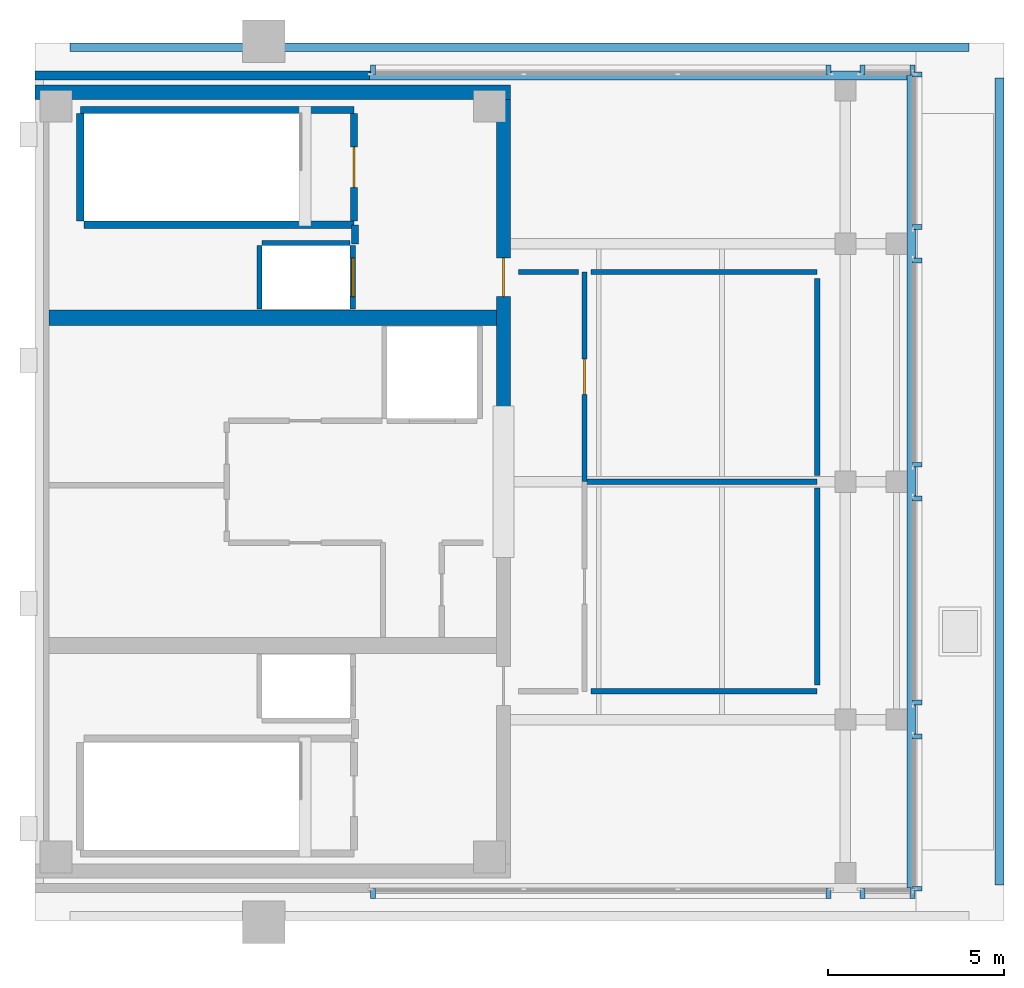
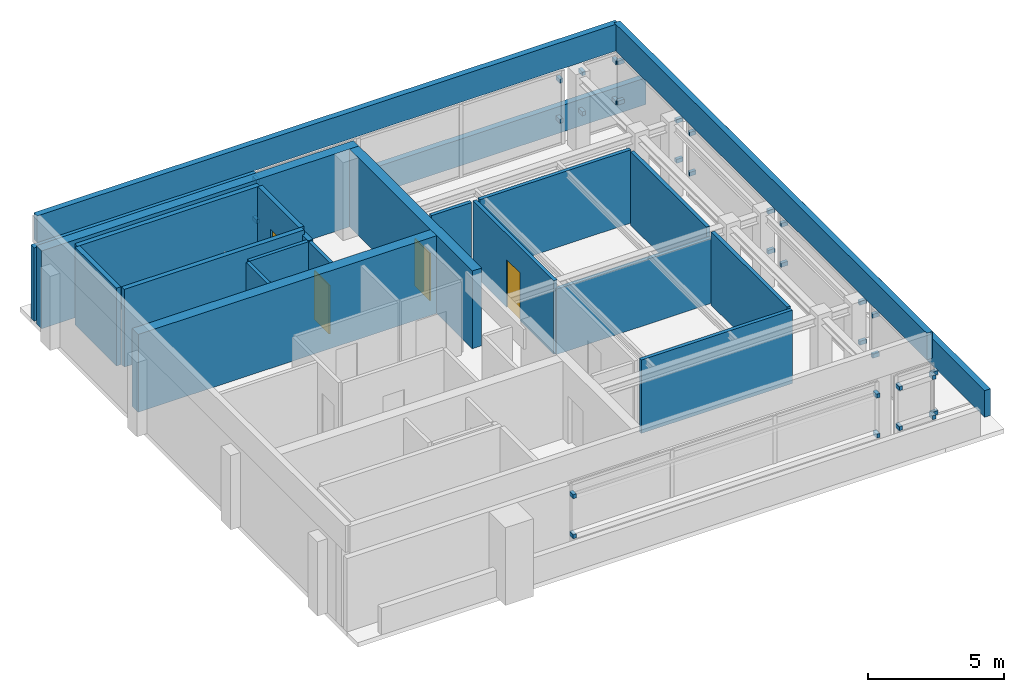
# One storey, part 4 of 5: 32 discrete accessories, 23 walls, 4 doors, 4 openings.
"""IFC4 building model written with IfcOpenShell, lengths in metres."""

from ifc_helpers import new_model, si_unit, direction, frame, frame_2d, origin, origin_2d, place, context, subcontext, project, spatial, rectangle, extrude, material, layer, layer_set, type_object, element, fill, save


model = new_model("IFC4")

# Units and contexts
model_context = context("Model", 3, precision=1e-05, world=origin(), true_north=direction((0.0, 1.0)))
body_context = subcontext(model_context, "Body", "Model", "MODEL_VIEW")
ifc_project = project(units=[si_unit("LENGTHUNIT", "METRE"), si_unit("AREAUNIT", "SQUARE_METRE"), si_unit("VOLUMEUNIT", "CUBIC_METRE"), si_unit("PLANEANGLEUNIT", "RADIAN"), si_unit("MASSUNIT", "GRAM", prefix="KILO")], contexts=[model_context])

# Site, building, storey
site_placement = place(None, origin())
site = spatial("IfcSite", under=ifc_project, at=site_placement, CompositionType="ELEMENT")
building_placement = place(site_placement, origin())
building = spatial("IfcBuilding", under=site, at=building_placement, Name="Kinhvarn Gate Tower", CompositionType="ELEMENT")
storey_placement = place(building_placement, frame((0.0, 0.0, 321.550048828125)))
storey = spatial("IfcBuildingStorey", under=building, at=storey_placement, Name="L85", CompositionType="ELEMENT", Elevation=321.550048828125)

# Wall
ifc_material_1 = material(Name="Concrete C50/60", Category="concrete")
ifc_layer_1 = layer(ifc_material_1, 0.39990234375)
ifc_layer_set_1 = layer_set([ifc_layer_1], Name="Concrete C50/60")
wall_type_1 = type_object("IfcWallType", Name="WL-CORE-400", PredefinedType="SHEAR", material=ifc_layer_set_1)
wall_1_placement = place(storey_placement, frame((4.5, 36.300048828125, 0.0), z_axis=(0.0, 0.0, 1.0), x_axis=(1.0, 0.0, 0.0)))
element("IfcWall", 1, at=wall_1_placement, inside=storey, type_object=wall_type_1, Name="Core North Shear Wall L85 400 mm", PredefinedType="SHEAR", context=body_context, shape_type="SweptSolid", body=[
    extrude(rectangle(XDim=13.5, YDim=0.39990234375, at=frame_2d((6.75, 0.0))), origin(), (0.0, 0.0, 1.0), 3.5),
])

# Wall, opening, door
wall_2_placement = place(storey_placement, frame((17.800048828125, 27.050048828125, 0.0), z_axis=(0.0, 0.0, 1.0), x_axis=(0.0, 1.0, 0.0)))
wall_2 = element("IfcWall", 2, at=wall_2_placement, inside=storey, type_object=wall_type_1, Name="Core East-North Shear Pier L85 400 mm", PredefinedType="SHEAR", context=body_context, shape_type="SweptSolid", body=[
    extrude(rectangle(XDim=9.050048828125, YDim=0.39990234375, at=frame_2d((4.52490234375, 0.0))), origin(), (0.0, 0.0, 1.0), 3.5),
])
opening_1_placement = place(wall_2_placement, frame((3.449951171875, 0.0, 0.0)))
opening_1 = element("IfcOpeningElement", 3, at=opening_1_placement, cuts=wall_2, Name="Opening FD-02", PredefinedType="OPENING", context=body_context, shape_type="SweptSolid", body=[
    extrude(rectangle(XDim=1.10009765625, YDim=2.14990234375, at=frame_2d((0.550048828125, 1.074951171875))), frame((0.0, 0.2099609375, 0.0), z_axis=(0.0, -1.0, 0.0), x_axis=(1.0, 0.0, 0.0)), (0.0, 0.0, 1.0), 0.419921875),
])
ifc_material_2 = material(Name="Anodised aluminium AW-6063", Category="aluminium")
door_type_1 = type_object("IfcDoorType", Name="DR-FD-1100", OperationType="NOTDEFINED", PredefinedType="DOOR", material=ifc_material_2)
door_1_placement = place(opening_1_placement, origin())
door_1 = element("IfcDoor", 4, at=door_1_placement, inside=storey, type_object=door_type_1, Name="Firefighting Lobby Core Door (L85)", OperationType="SINGLE_SWING_LEFT", OverallHeight=2.14990234375, OverallWidth=1.10009765625, PredefinedType="DOOR", context=body_context, shape_type="SweptSolid", body=[
    extrude(rectangle(XDim=1.10009765625, YDim=2.14990234375, at=frame_2d((0.550048828125, 1.074951171875))), frame((0.0, 0.02490234375, 0.0), z_axis=(0.0, -1.0, 0.0), x_axis=(1.0, 0.0, 0.0)), (0.0, 0.0, 1.0), 0.050048828125),
])
fill(opening_1, door_1)

# Walls
ifc_layer_2 = layer(ifc_material_1, 0.449951171875)
ifc_layer_set_2 = layer_set([ifc_layer_2], Name="Concrete C50/60")
wall_type_2 = type_object("IfcWallType", Name="WL-CORE-450", PredefinedType="SHEAR", material=ifc_layer_set_2)
wall_3_placement = place(storey_placement, frame((4.89990234375, 29.89990234375, 0.0), z_axis=(0.0, 0.0, 1.0), x_axis=(1.0, 0.0, 0.0)))
element("IfcWall", 5, at=wall_3_placement, inside=storey, type_object=wall_type_2, Name="Core North Spine Shear Wall L85 450 mm", PredefinedType="SHEAR", context=body_context, shape_type="SweptSolid", body=[
    extrude(rectangle(XDim=12.7001953125, YDim=0.449951171875, at=frame_2d((6.35009765625, 0.0))), origin(), (0.0, 0.0, 1.0), 3.5),
])
ifc_material_3 = material(Name="Fired architectural terracotta", Category="masonry")
ifc_layer_3 = layer(ifc_material_3, 0.25)
ifc_layer_set_3 = layer_set([ifc_layer_3], Name="Fired architectural terracotta")
wall_type_3 = type_object("IfcWallType", Name="WL-EXT-250", PredefinedType="SOLIDWALL", material=ifc_layer_set_3)
wall_4_placement = place(storey_placement, frame((14.0, 36.77490234375, 0.0), z_axis=(0.0, 0.0, 1.0), x_axis=(-1.0, 0.0, 0.0)))
element("IfcWall", 6, at=wall_4_placement, inside=storey, type_object=wall_type_3, Name="Exterior Solidwall Wall EW-250 (L85 Crown-Core-N)", PredefinedType="SOLIDWALL", context=body_context, shape_type="SweptSolid", body=[
    extrude(rectangle(XDim=9.5, YDim=0.25, at=frame_2d((4.75, 0.0))), origin(), (0.0, 0.0, 1.0), 3.300048828125),
])
ifc_layer_4 = layer(ifc_material_3, 0.25)
ifc_layer_set_4 = layer_set([ifc_layer_4], Name="Fired architectural terracotta")
wall_type_4 = type_object("IfcWallType", Name="WL-PAR-250", PredefinedType="PARAPET", material=ifc_layer_set_4)
wall_5_placement = place(storey_placement, frame((31.875, 13.800048828125, 0.0), z_axis=(0.0, 0.0, 1.0), x_axis=(0.0, 1.0, 0.0)))
element("IfcWall", 7, at=wall_5_placement, inside=storey, type_object=wall_type_4, Name="Exterior Parapet Wall PRW-250 (L85 Crown-Step-Parapet-E)", PredefinedType="PARAPET", context=body_context, shape_type="SweptSolid", body=[
    extrude(rectangle(XDim=22.89990234375, YDim=0.25, at=frame_2d((11.449951171875, 0.0))), origin(), (0.0, 0.0, 1.0), 1.199951171875),
])
wall_6_placement = place(storey_placement, frame((31.0, 37.574951171875, 0.0), z_axis=(0.0, 0.0, 1.0), x_axis=(-1.0, 0.0, 0.0)))
element("IfcWall", 8, at=wall_6_placement, inside=storey, type_object=wall_type_4, Name="Exterior Parapet Wall PRW-250 (L85 Crown-Step-Parapet-N)", PredefinedType="PARAPET", context=body_context, shape_type="SweptSolid", body=[
    extrude(rectangle(XDim=25.5, YDim=0.25, at=frame_2d((12.75, 0.0))), origin(), (0.0, 0.0, 1.0), 1.199951171875),
])
wall_7_placement = place(storey_placement, frame((29.375, 13.72509765625, 3.5), z_axis=(0.0, 0.0, 1.0), x_axis=(0.0, 1.0, 0.0)))
element("IfcWall", 9, at=wall_7_placement, inside=storey, type_object=wall_type_4, Name="Exterior Parapet Wall PRW-250 (L85 RF-Parapet-E)", PredefinedType="PARAPET", context=body_context, shape_type="SweptSolid", body=[
    extrude(rectangle(XDim=23.0498046875, YDim=0.25, at=frame_2d((11.52490234375, 0.0))), origin(), (0.0, 0.0, 1.0), 1.199951171875),
])
wall_8_placement = place(storey_placement, frame((29.375, 36.77490234375, 3.5), z_axis=(0.0, 0.0, 1.0), x_axis=(-1.0, 0.0, 0.0)))
element("IfcWall", 10, at=wall_8_placement, inside=storey, type_object=wall_type_4, Name="Exterior Parapet Wall PRW-250 (L85 RF-Parapet-N)", PredefinedType="PARAPET", context=body_context, shape_type="SweptSolid", body=[
    extrude(rectangle(XDim=24.75, YDim=0.25, at=frame_2d((12.375, 0.0))), origin(), (0.0, 0.0, 1.0), 1.199951171875),
])

# Wall, opening, door
ifc_material_4 = material(Name="Gypsum acoustic partition board")
ifc_layer_5 = layer(ifc_material_4, 0.14990234375)
ifc_layer_set_5 = layer_set([ifc_layer_5], Name="Gypsum acoustic partition board")
wall_type_5 = type_object("IfcWallType", Name="WL-PRT-150F", PredefinedType="PARTITIONING", material=ifc_layer_set_5)
wall_9_placement = place(storey_placement, frame((20.10009765625, 25.25, 0.0), z_axis=(0.0, 0.0, 1.0), x_axis=(0.0, 1.0, 0.0)))
wall_9 = element("IfcWall", 11, at=wall_9_placement, inside=storey, type_object=wall_type_5, Name="Interior Partition PW-150F (L85)", PredefinedType="PARTITIONING", context=body_context, shape_type="SweptSolid", body=[
    extrude(rectangle(XDim=5.949951171875, YDim=0.14990234375, at=frame_2d((2.97509765625, 0.0))), origin(), (0.0, 0.0, 1.0), 3.300048828125),
])
opening_2_placement = place(wall_9_placement, frame((2.47509765625, 0.0, 0.0)))
opening_2 = element("IfcOpeningElement", 12, at=opening_2_placement, cuts=wall_9, Name="Opening FD-03", PredefinedType="OPENING", context=body_context, shape_type="SweptSolid", body=[
    extrude(rectangle(XDim=1.0, YDim=2.14990234375, at=frame_2d((0.5, 1.074951171875))), frame((0.0, 0.0849609375, 0.0), z_axis=(0.0, -1.0, 0.0), x_axis=(1.0, 0.0, 0.0)), (0.0, 0.0, 1.0), 0.169921875),
])
door_type_2 = type_object("IfcDoorType", Name="DR-FD-1000", OperationType="NOTDEFINED", PredefinedType="DOOR", material=ifc_material_2)
door_2_placement = place(opening_2_placement, origin())
door_2 = element("IfcDoor", 13, at=door_2_placement, inside=storey, type_object=door_type_2, Name="Rated Plant & Corridor Fire Door 1000x2150 mm (L85)", OperationType="SINGLE_SWING_LEFT", OverallHeight=2.14990234375, OverallWidth=1.0, PredefinedType="DOOR", context=body_context, shape_type="SweptSolid", body=[
    extrude(rectangle(XDim=1.0, YDim=2.14990234375, at=frame_2d((0.5, 1.074951171875))), frame((0.0, 0.02490234375, 0.0), z_axis=(0.0, -1.0, 0.0), x_axis=(1.0, 0.0, 0.0)), (0.0, 0.0, 1.0), 0.050048828125),
])
fill(opening_2, door_2)

# Walls
wall_10_placement = place(storey_placement, frame((20.10009765625, 25.25, 0.0), z_axis=(0.0, 0.0, 1.0), x_axis=(1.0, 0.0, 0.0)))
element("IfcWall", 14, at=wall_10_placement, inside=storey, type_object=wall_type_5, Name="Interior Partition PW-150F (L85)", PredefinedType="PARTITIONING", context=body_context, shape_type="SweptSolid", body=[
    extrude(rectangle(XDim=6.599853515625, YDim=0.14990234375, at=frame_2d((3.2998046875, 0.0))), origin(), (0.0, 0.0, 1.0), 2.93994140625),
])
wall_11_placement = place(storey_placement, frame((26.699951171875, 19.300048828125, 0.0), z_axis=(0.0, 0.0, 1.0), x_axis=(-1.0, 0.0, 0.0)))
element("IfcWall", 15, at=wall_11_placement, inside=storey, type_object=wall_type_5, Name="Interior Partition PW-150F (L85)", PredefinedType="PARTITIONING", context=body_context, shape_type="SweptSolid", body=[
    extrude(rectangle(XDim=6.419921875, YDim=0.14990234375, at=frame_2d((3.2099609375, 0.0))), origin(), (0.0, 0.0, 1.0), 3.300048828125),
])
wall_12_placement = place(storey_placement, frame((18.219970703125, 31.199951171875, 0.0), z_axis=(0.0, 0.0, 1.0), x_axis=(1.0, 0.0, 0.0)))
element("IfcWall", 16, at=wall_12_placement, inside=storey, type_object=wall_type_5, Name="Interior Partition PW-150F (L85)", PredefinedType="PARTITIONING", context=body_context, shape_type="SweptSolid", body=[
    extrude(rectangle(XDim=1.699951171875, YDim=0.14990234375, at=frame_2d((0.85009765625, 0.0))), origin(), (0.0, 0.0, 1.0), 3.300048828125),
])
wall_13_placement = place(storey_placement, frame((20.280029296875, 31.199951171875, 0.0), z_axis=(0.0, 0.0, 1.0), x_axis=(1.0, 0.0, 0.0)))
element("IfcWall", 17, at=wall_13_placement, inside=storey, type_object=wall_type_5, Name="Interior Partition PW-150F (L85)", PredefinedType="PARTITIONING", context=body_context, shape_type="SweptSolid", body=[
    extrude(rectangle(XDim=6.419921875, YDim=0.14990234375, at=frame_2d((3.2099609375, 0.0))), origin(), (0.0, 0.0, 1.0), 3.300048828125),
])
for number, where, z_axis, x_axis, name in (
    (18, (26.699951171875, 31.02001953125, 0.0), (0.0, 0.0, 1.0), (0.0, -1.0, 0.0), "Interior Partition PW-150F (L85)"),
    (19, (26.699951171875, 25.070068359375, 0.0), (0.0, 0.0, 1.0), (0.0, -1.0, 0.0), "Interior Partition PW-150F (L85)"),
):
    element("IfcWall", number, at=place(storey_placement, frame(where, z_axis=z_axis, x_axis=x_axis)), inside=storey, type_object=wall_type_5, Name=name, PredefinedType="PARTITIONING", context=body_context, shape_type="SweptSolid", body=[
        extrude(rectangle(XDim=5.590087890625, YDim=0.14990234375, at=frame_2d((2.794921875, 0.0))), origin(), (0.0, 0.0, 1.0), 3.300048828125),
    ])
ifc_layer_6 = layer(ifc_material_4, 0.199951171875)
ifc_layer_set_6 = layer_set([ifc_layer_6], Name="Gypsum acoustic partition board")
wall_type_6 = type_object("IfcWallType", Name="WL-PRT-200", PredefinedType="PARTITIONING", material=ifc_layer_set_6)
wall_14_placement = place(storey_placement, frame((13.580078125, 32.0, 0.0), z_axis=(0.0, 0.0, 1.0), x_axis=(0.0, 1.0, 0.0)))
element("IfcWall", 20, at=wall_14_placement, inside=storey, type_object=wall_type_6, Name="Interior Partition PW-200 (L85)", PredefinedType="PARTITIONING", context=body_context, shape_type="SweptSolid", body=[
    extrude(rectangle(XDim=0.5400390625, YDim=0.199951171875, at=frame_2d((0.27001953125, 0.0))), origin(), (0.0, 0.0, 1.0), 3.300048828125),
])
ifc_layer_7 = layer(ifc_material_4, 0.14990234375)
ifc_layer_set_7 = layer_set([ifc_layer_7], Name="Gypsum acoustic partition board")
wall_type_7 = type_object("IfcWallType", Name="WL-SHF-150", PredefinedType="PARTITIONING", material=ifc_layer_set_7)
wall_15_placement = place(storey_placement, frame((10.949951171875, 32.02490234375, 0.0), z_axis=(0.0, 0.0, 1.0), x_axis=(1.0, 0.0, 0.0)))
element("IfcWall", 21, at=wall_15_placement, inside=storey, type_object=wall_type_7, Name="Elevator FF2 Hoistway Wall N (L85)", PredefinedType="PARTITIONING", context=body_context, shape_type="SweptSolid", body=[
    extrude(rectangle(XDim=2.5, YDim=0.14990234375, at=frame_2d((1.25, 0.0))), origin(), (0.0, 0.0, 1.0), 3.300048828125),
])
wall_16_placement = place(storey_placement, frame((10.875, 30.14990234375, 0.0), z_axis=(0.0, 0.0, 1.0), x_axis=(0.0, 1.0, 0.0)))
element("IfcWall", 22, at=wall_16_placement, inside=storey, type_object=wall_type_7, Name="Elevator FF2 Hoistway Wall W (L85)", PredefinedType="PARTITIONING", context=body_context, shape_type="SweptSolid", body=[
    extrude(rectangle(XDim=1.800048828125, YDim=0.14990234375, at=frame_2d((0.89990234375, 0.0))), origin(), (0.0, 0.0, 1.0), 3.300048828125),
])

# Wall, opening, door
wall_17_placement = place(storey_placement, frame((13.52490234375, 30.14990234375, 0.0), z_axis=(0.0, 0.0, 1.0), x_axis=(0.0, 1.0, 0.0)))
wall_17 = element("IfcWall", 23, at=wall_17_placement, inside=storey, type_object=wall_type_7, Name="Elevator FF2 Landing Wall (L85)", PredefinedType="PARTITIONING", context=body_context, shape_type="SweptSolid", body=[
    extrude(rectangle(XDim=1.800048828125, YDim=0.14990234375, at=frame_2d((0.89990234375, 0.0))), origin(), (0.0, 0.0, 1.0), 3.300048828125),
])
opening_3_placement = place(wall_17_placement, frame((0.35009765625, 0.0, 0.0)))
opening_3 = element("IfcOpeningElement", 24, at=opening_3_placement, cuts=wall_17, Name="Opening LD-03", PredefinedType="OPENING", context=body_context, shape_type="SweptSolid", body=[
    extrude(rectangle(XDim=1.10009765625, YDim=2.199951171875, at=frame_2d((0.550048828125, 1.10009765625))), frame((0.0, 0.0849609375, 0.0), z_axis=(0.0, -1.0, 0.0), x_axis=(1.0, 0.0, 0.0)), (0.0, 0.0, 1.0), 0.169921875),
])
door_type_3 = type_object("IfcDoorType", Name="DR-LND-FF", OperationType="NOTDEFINED", PredefinedType="DOOR", material=ifc_material_2)
door_3_placement = place(opening_3_placement, origin())
door_3 = element("IfcDoor", 25, at=door_3_placement, inside=storey, type_object=door_type_3, Name="Elevator FF2 Sliding Landing Door (L85)", OperationType="DOUBLE_DOOR_SLIDING", OverallHeight=2.199951171875, OverallWidth=1.10009765625, PredefinedType="DOOR", context=body_context, shape_type="SweptSolid", body=[
    extrude(rectangle(XDim=1.10009765625, YDim=2.199951171875, at=frame_2d((0.550048828125, 1.10009765625))), frame((0.0, 0.02490234375, 0.0), z_axis=(0.0, -1.0, 0.0), x_axis=(1.0, 0.0, 0.0)), (0.0, 0.0, 1.0), 0.050048828125),
])
fill(opening_3, door_3)

# Walls
ifc_material_5 = material(Name="Concrete C40/50", Category="concrete")
ifc_layer_8 = layer(ifc_material_5, 0.199951171875)
ifc_layer_set_8 = layer_set([ifc_layer_8], Name="Concrete C40/50")
wall_type_8 = type_object("IfcWallType", Name="WL-SHF-200", PredefinedType="SOLIDWALL", material=ifc_layer_set_8)
wall_18_placement = place(storey_placement, frame((5.800048828125, 35.800048828125, 0.0), z_axis=(0.0, 0.0, 1.0), x_axis=(1.0, 0.0, 0.0)))
element("IfcWall", 26, at=wall_18_placement, inside=storey, type_object=wall_type_8, Name="Stair ST2 North Shaft Wall (L85)", PredefinedType="SOLIDWALL", context=body_context, shape_type="SweptSolid", body=[
    extrude(rectangle(XDim=7.75, YDim=0.199951171875, at=frame_2d((3.875, 0.0))), origin(), (0.0, 0.0, 1.0), 3.5),
])
wall_19_placement = place(storey_placement, frame((5.7900390625, 32.64990234375, 0.0), z_axis=(0.0, 0.0, 1.0), x_axis=(0.0, 1.0, 0.0)))
element("IfcWall", 27, at=wall_19_placement, inside=storey, type_object=wall_type_8, Name="Stair ST2 West Shaft Wall (L85)", PredefinedType="SOLIDWALL", context=body_context, shape_type="SweptSolid", body=[
    extrude(rectangle(XDim=3.050048828125, YDim=0.199951171875, at=frame_2d((1.52490234375, 0.0))), origin(), (0.0, 0.0, 1.0), 3.5),
])
wall_20_placement = place(storey_placement, frame((5.89990234375, 32.5400390625, 0.0), z_axis=(0.0, 0.0, 1.0), x_axis=(1.0, 0.0, 0.0)))
element("IfcWall", 28, at=wall_20_placement, inside=storey, type_object=wall_type_8, Name="Stair ST2 South Shaft Wall (L85)", PredefinedType="SOLIDWALL", context=body_context, shape_type="SweptSolid", body=[
    extrude(rectangle(XDim=7.66015625, YDim=0.199951171875, at=frame_2d((3.830078125, 0.0))), origin(), (0.0, 0.0, 1.0), 3.5),
])

# Wall, opening, door
wall_21_placement = place(storey_placement, frame((13.56005859375, 32.64990234375, 0.0), z_axis=(0.0, 0.0, 1.0), x_axis=(0.0, 1.0, 0.0)))
wall_21 = element("IfcWall", 29, at=wall_21_placement, inside=storey, type_object=wall_type_8, Name="Stair ST2 East Entry Wall (L85)", PredefinedType="SOLIDWALL", context=body_context, shape_type="SweptSolid", body=[
    extrude(rectangle(XDim=3.050048828125, YDim=0.199951171875, at=frame_2d((1.52490234375, 0.0))), origin(), (0.0, 0.0, 1.0), 3.5),
])
opening_4_placement = place(wall_21_placement, frame((0.949951171875, 0.0, 0.0)))
opening_4 = element("IfcOpeningElement", 30, at=opening_4_placement, cuts=wall_21, Name="Opening FD-01", PredefinedType="OPENING", context=body_context, shape_type="SweptSolid", body=[
    extrude(rectangle(XDim=1.14990234375, YDim=2.14990234375, at=frame_2d((0.574951171875, 1.074951171875))), frame((0.0, 0.10986328125, 0.0), z_axis=(0.0, -1.0, 0.0), x_axis=(1.0, 0.0, 0.0)), (0.0, 0.0, 1.0), 0.219970703125),
])
door_type_4 = type_object("IfcDoorType", Name="DR-ST-1150", OperationType="NOTDEFINED", PredefinedType="DOOR", material=ifc_material_2)
door_4_placement = place(opening_4_placement, origin())
door_4 = element("IfcDoor", 31, at=door_4_placement, inside=storey, type_object=door_type_4, Name="Exit Stair ST2 Fire Door (L85)", OperationType="SINGLE_SWING_RIGHT", OverallHeight=2.14990234375, OverallWidth=1.14990234375, PredefinedType="DOOR", context=body_context, shape_type="SweptSolid", body=[
    extrude(rectangle(XDim=1.14990234375, YDim=2.14990234375, at=frame_2d((0.574951171875, 1.074951171875))), frame((0.0, 0.02490234375, 0.0), z_axis=(0.0, -1.0, 0.0), x_axis=(1.0, 0.0, 0.0)), (0.0, 0.0, 1.0), 0.050048828125),
])
fill(opening_4, door_4)

# Discrete accessories
discrete_accessory_type = type_object("IfcDiscreteAccessoryType", Name="ACC-BRK-01", PredefinedType="BRACKET", material=ifc_material_2)
for number, where, z_axis, x_axis, name in (
    (32, (14.10009765625, 13.570068359375, 0.9599609375), (0.0, 0.0, 1.0), (1.0, 0.0, 0.0), "Baguette Support Bracket BK-01 (L85)"),
    (33, (14.10009765625, 13.570068359375, 2.759765625), (0.0, 0.0, 1.0), (1.0, 0.0, 0.0), "Baguette Support Bracket BK-01 (L85)"),
    (34, (27.02001953125, 13.570068359375, 0.9599609375), (0.0, 0.0, 1.0), (1.0, 0.0, 0.0), "Baguette Support Bracket BK-01 (L85)"),
    (35, (27.02001953125, 13.570068359375, 2.759765625), (0.0, 0.0, 1.0), (1.0, 0.0, 0.0), "Baguette Support Bracket BK-01 (L85)"),
    (36, (27.97998046875, 13.570068359375, 0.9599609375), (0.0, 0.0, 1.0), (1.0, 0.0, 0.0), "Baguette Support Bracket BK-01 (L85)"),
    (37, (27.97998046875, 13.570068359375, 2.759765625), (0.0, 0.0, 1.0), (1.0, 0.0, 0.0), "Baguette Support Bracket BK-01 (L85)"),
    (38, (29.39990234375, 13.570068359375, 0.9599609375), (0.0, 0.0, 1.0), (1.0, 0.0, 0.0), "Baguette Support Bracket BK-01 (L85)"),
    (39, (29.39990234375, 13.570068359375, 2.759765625), (0.0, 0.0, 1.0), (1.0, 0.0, 0.0), "Baguette Support Bracket BK-01 (L85)"),
    (40, (29.39990234375, 36.929931640625, 0.9599609375), (0.0, 0.0, 1.0), (-1.0, 0.0, 0.0), "Baguette Support Bracket BK-01 (L85)"),
    (41, (29.39990234375, 36.929931640625, 2.759765625), (0.0, 0.0, 1.0), (-1.0, 0.0, 0.0), "Baguette Support Bracket BK-01 (L85)"),
    (42, (27.97998046875, 36.929931640625, 0.9599609375), (0.0, 0.0, 1.0), (-1.0, 0.0, 0.0), "Baguette Support Bracket BK-01 (L85)"),
    (43, (27.97998046875, 36.929931640625, 2.759765625), (0.0, 0.0, 1.0), (-1.0, 0.0, 0.0), "Baguette Support Bracket BK-01 (L85)"),
    (44, (27.02001953125, 36.929931640625, 0.9599609375), (0.0, 0.0, 1.0), (-1.0, 0.0, 0.0), "Baguette Support Bracket BK-01 (L85)"),
    (45, (27.02001953125, 36.929931640625, 2.759765625), (0.0, 0.0, 1.0), (-1.0, 0.0, 0.0), "Baguette Support Bracket BK-01 (L85)"),
    (46, (14.10009765625, 36.929931640625, 0.9599609375), (0.0, 0.0, 1.0), (-1.0, 0.0, 0.0), "Baguette Support Bracket BK-01 (L85)"),
    (47, (14.10009765625, 36.929931640625, 2.759765625), (0.0, 0.0, 1.0), (-1.0, 0.0, 0.0), "Baguette Support Bracket BK-01 (L85)"),
    (48, (29.530029296875, 13.699951171875, 0.9599609375), (0.0, 0.0, 1.0), (0.0, 1.0, 0.0), "Baguette Support Bracket BK-01 (L85)"),
    (49, (29.530029296875, 13.699951171875, 2.759765625), (0.0, 0.0, 1.0), (0.0, 1.0, 0.0), "Baguette Support Bracket BK-01 (L85)"),
    (50, (29.530029296875, 18.02001953125, 0.9599609375), (0.0, 0.0, 1.0), (0.0, 1.0, 0.0), "Baguette Support Bracket BK-01 (L85)"),
    (51, (29.530029296875, 18.02001953125, 2.759765625), (0.0, 0.0, 1.0), (0.0, 1.0, 0.0), "Baguette Support Bracket BK-01 (L85)"),
    (52, (29.530029296875, 18.97998046875, 0.9599609375), (0.0, 0.0, 1.0), (0.0, 1.0, 0.0), "Baguette Support Bracket BK-01 (L85)"),
    (53, (29.530029296875, 18.97998046875, 2.759765625), (0.0, 0.0, 1.0), (0.0, 1.0, 0.0), "Baguette Support Bracket BK-01 (L85)"),
    (54, (29.530029296875, 24.77001953125, 0.9599609375), (0.0, 0.0, 1.0), (0.0, 1.0, 0.0), "Baguette Support Bracket BK-01 (L85)"),
    (55, (29.530029296875, 24.77001953125, 2.759765625), (0.0, 0.0, 1.0), (0.0, 1.0, 0.0), "Baguette Support Bracket BK-01 (L85)"),
    (56, (29.530029296875, 25.72998046875, 0.9599609375), (0.0, 0.0, 1.0), (0.0, 1.0, 0.0), "Baguette Support Bracket BK-01 (L85)"),
    (57, (29.530029296875, 25.72998046875, 2.759765625), (0.0, 0.0, 1.0), (0.0, 1.0, 0.0), "Baguette Support Bracket BK-01 (L85)"),
    (58, (29.530029296875, 31.52001953125, 0.9599609375), (0.0, 0.0, 1.0), (0.0, 1.0, 0.0), "Baguette Support Bracket BK-01 (L85)"),
    (59, (29.530029296875, 31.52001953125, 2.759765625), (0.0, 0.0, 1.0), (0.0, 1.0, 0.0), "Baguette Support Bracket BK-01 (L85)"),
    (60, (29.530029296875, 32.47998046875, 0.9599609375), (0.0, 0.0, 1.0), (0.0, 1.0, 0.0), "Baguette Support Bracket BK-01 (L85)"),
    (61, (29.530029296875, 32.47998046875, 2.759765625), (0.0, 0.0, 1.0), (0.0, 1.0, 0.0), "Baguette Support Bracket BK-01 (L85)"),
    (62, (29.530029296875, 36.800048828125, 0.9599609375), (0.0, 0.0, 1.0), (0.0, 1.0, 0.0), "Baguette Support Bracket BK-01 (L85)"),
    (63, (29.530029296875, 36.800048828125, 2.759765625), (0.0, 0.0, 1.0), (0.0, 1.0, 0.0), "Baguette Support Bracket BK-01 (L85)"),
):
    element("IfcDiscreteAccessory", number, at=place(storey_placement, frame(where, z_axis=z_axis, x_axis=x_axis)), inside=storey, type_object=discrete_accessory_type, Name=name, PredefinedType="BRACKET", context=body_context, shape_type="SweptSolid", body=[
        extrude(rectangle(XDim=0.139892578125, YDim=0.280029296875, at=origin_2d()), origin(), (0.0, 0.0, 1.0), 0.179931640625),
    ])

save(model, "model.ifc")
